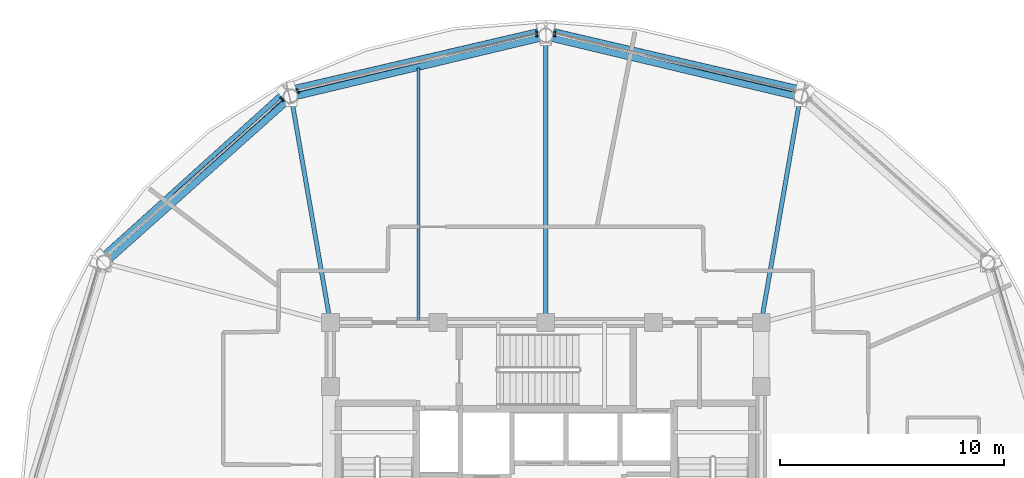
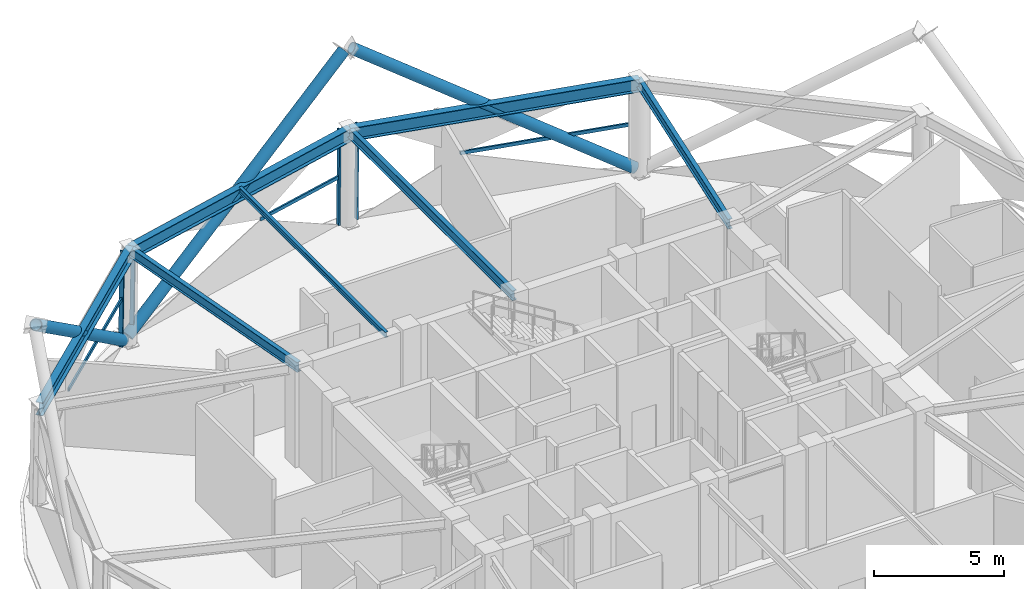
# One storey, part 6 of 16: 10 members, 7 beams, 3 elements without a shape of their own.
"""IFC4 building model written with IfcOpenShell, lengths in metres."""

import ifcopenshell
import ifcopenshell.guid

model = None  # the IFC model being written
_history = None  # IfcOwnerHistory: only IFC2X3 demands one
_inside = {}  # id of a spatial element -> (the spatial element, [elements in it])
_under = {}  # id of a project, library or spatial element -> (it, [spatial elements below it])
_declared = {}  # id of a project -> (the project, [libraries it declares])
_typed = {}  # id of a type object -> (the type object, [elements of that type])
_made_of = {}  # id of a material, layer set ... -> (it, [elements and type objects made of it])


def new_model(schema):
    """Start an empty IFC model of exactly this schema.

    Asked for "IFC4X3", IfcOpenShell would pick the latest addendum, in which some entities
    have other attributes; the version numbers below select the first issue.
    IFC2X3 requires an IfcOwnerHistory on every rooted entity: one is made here for all.
    """
    global model, _history
    if schema == "IFC4X3":
        model = ifcopenshell.file(schema_version=(4, 3, 0, 0))
    else:
        model = ifcopenshell.file(schema=schema)
    _inside.clear()
    _under.clear()
    _declared.clear()
    _typed.clear()
    _made_of.clear()
    _history = None
    if model.schema == "IFC2X3":
        org = make("IfcOrganization", Name="unknown")
        user = make(
            "IfcPersonAndOrganization",
            ThePerson=make("IfcPerson", FamilyName="unknown"),
            TheOrganization=org,
        )
        app = make(
            "IfcApplication",
            ApplicationDeveloper=org,
            Version="unknown",
            ApplicationFullName="unknown",
            ApplicationIdentifier="unknown",
        )
        _history = make(
            "IfcOwnerHistory",
            OwningUser=user,
            OwningApplication=app,
            ChangeAction="ADDED",
            CreationDate=0,
        )
    return model


def make(cls, **values):
    """One entity of the class cls with the attributes given. An attribute that is None is left unset."""
    return model.create_entity(
        cls, **{name: value for name, value in values.items() if value is not None}
    )


def rooted(cls, **values):
    """An entity with a GlobalId (a new one), such as an element, a storey or a relation."""
    return make(cls, GlobalId=ifcopenshell.guid.new(), OwnerHistory=_history, **values)


def si_unit(unit_type, name, prefix=None):
    """IfcSIUnit, for example si_unit("LENGTHUNIT", "METRE", prefix="MILLI")."""
    return make("IfcSIUnit", UnitType=unit_type, Prefix=prefix, Name=name)


def assignment(units):
    """IfcUnitAssignment: the units of a project."""
    return None if units is None else make("IfcUnitAssignment", Units=units)


def point(xyz):
    """IfcCartesianPoint."""
    return None if xyz is None else make("IfcCartesianPoint", Coordinates=xyz)


def direction(xyz):
    """IfcDirection."""
    return None if xyz is None else make("IfcDirection", DirectionRatios=xyz)


def frame(location, z_axis=None, x_axis=None):
    """IfcAxis2Placement3D, a coordinate frame: its origin and axes. An axis left out is left unset."""
    return make(
        "IfcAxis2Placement3D",
        Location=point(location),
        Axis=direction(z_axis),
        RefDirection=direction(x_axis),
    )


def frame_2d(location, x_axis=None):
    """IfcAxis2Placement2D, a coordinate frame in the plane: its origin and x axis."""
    return make(
        "IfcAxis2Placement2D", Location=point(location), RefDirection=direction(x_axis)
    )


def origin():
    """The frame at (0, 0, 0) with its axes left unset."""
    return frame((0.0, 0.0, 0.0))


def origin_2d():
    """The frame at (0, 0) in the plane with its x axis left unset."""
    return frame_2d((0.0, 0.0))


def place(relative_to, where):
    """IfcLocalPlacement: puts the frame where relative to a parent placement (None: the world)."""
    return make(
        "IfcLocalPlacement", PlacementRelTo=relative_to, RelativePlacement=where
    )


def context(
    kind, dimensions, precision=None, world=None, true_north=None, identifier=None
):
    """IfcGeometricRepresentationContext, for example the 3D "Model" context."""
    return make(
        "IfcGeometricRepresentationContext",
        ContextIdentifier=identifier,
        ContextType=kind,
        CoordinateSpaceDimension=dimensions,
        Precision=precision,
        WorldCoordinateSystem=world,
        TrueNorth=true_north,
    )


def subcontext(parent, identifier, kind, view, scale=None):
    """IfcGeometricRepresentationSubContext, for example "Body" below "Model"."""
    return make(
        "IfcGeometricRepresentationSubContext",
        ContextIdentifier=identifier,
        ContextType=kind,
        ParentContext=parent,
        TargetScale=scale,
        TargetView=view,
    )


def project(units=None, contexts=None):
    """IfcProject with its units and contexts."""
    return rooted(
        "IfcProject",
        Name="project",
        RepresentationContexts=contexts,
        UnitsInContext=assignment(units),
    )


def spatial(cls, under=None, at=None, **own):
    """A site, building, storey or space (cls), placed at a placement, below another one or the project."""
    s = rooted(cls, ObjectPlacement=at, **own)
    if under is not None:
        _under.setdefault(under.id(), (under, []))[1].append(s)
    return s


def profile(cls, at=None, kind="AREA", **sizes):
    """A parametric profile (cls). Its sizes go by their IFC names, for example OverallWidth=200.0."""
    return make(cls, ProfileType=kind, Position=at, **sizes)


def hollow_rectangle(**sizes):
    """IfcRectangleHollowProfileDef."""
    return profile("IfcRectangleHollowProfileDef", **sizes)


def hollow_circle(**sizes):
    """IfcCircleHollowProfileDef."""
    return profile("IfcCircleHollowProfileDef", **sizes)


def i_section(**sizes):
    """IfcIShapeProfileDef."""
    return profile("IfcIShapeProfileDef", **sizes)


def extrude(swept, where, along, depth):
    """IfcExtrudedAreaSolid: the profile swept, set in the frame where, extruded along a direction by depth."""
    return make(
        "IfcExtrudedAreaSolid",
        SweptArea=swept,
        Position=where,
        ExtrudedDirection=direction(along),
        Depth=depth,
    )


def shape(context_of_items, identifier, shape_type, items):
    """IfcShapeRepresentation: the items that make up one representation, for example the "Body"."""
    return make(
        "IfcShapeRepresentation",
        ContextOfItems=context_of_items,
        RepresentationIdentifier=identifier,
        RepresentationType=shape_type,
        Items=items,
    )


def material(Name=None, Category=None):
    """IfcMaterial."""
    return make("IfcMaterial", Name=Name, Category=Category)


def layer(
    of_material, thickness, ventilated=None, Name=None, Category=None, Priority=None
):
    """IfcMaterialLayer: one layer of a wall or slab, of a material (None: an air gap)."""
    return make(
        "IfcMaterialLayer",
        Material=of_material,
        LayerThickness=thickness,
        IsVentilated=ventilated,
        Name=Name,
        Category=Category,
        Priority=Priority,
    )


def layer_set(layers, Name=None):
    """IfcMaterialLayerSet."""
    return make("IfcMaterialLayerSet", MaterialLayers=layers, LayerSetName=Name)


def material_profile(
    of_material, cross_section, Name=None, Category=None, Priority=None
):
    """IfcMaterialProfile: a cross section and its material."""
    return make(
        "IfcMaterialProfile",
        Name=Name,
        Material=of_material,
        Profile=cross_section,
        Priority=Priority,
        Category=Category,
    )


def profile_set(profiles, Name=None, composite=None):
    """IfcMaterialProfileSet."""
    return make(
        "IfcMaterialProfileSet",
        Name=Name,
        MaterialProfiles=profiles,
        CompositeProfile=composite,
    )


def made_of(thing, what):
    """Note that an element or type object is made of a material, layer set ...; save() writes the relation."""
    if what is not None:
        _made_of.setdefault(what.id(), (what, []))[1].append(thing)
    return thing


def type_object(cls, material=None, **own):
    """A type object (cls), such as IfcWallType, which elements share."""
    return made_of(rooted(cls, **own), material)


def element(
    cls,
    number,
    at=None,
    inside=None,
    cuts=None,
    type_object=None,
    material=None,
    context=None,
    identifier="Body",
    shape_type=None,
    held_by="IfcProductDefinitionShape",
    body=None,
    shapes=None,
    **own,
):
    """One element of the class cls, such as IfcWall. Its Tag is "e" and its number.

    at: its placement. inside: the storey or other place that contains it. cuts: it is an
    opening in that element (IfcRelVoidsElement). A single representation is given by context,
    identifier, shape_type and body (its items); several are given by shapes. held_by: the class
    of the entity that holds the representations. save() writes the other relations.
    """
    e = rooted(cls, Tag="e%d" % number, ObjectPlacement=at, **own)
    if body is not None:
        shapes = [shape(context, identifier, shape_type, body)]
    if shapes is not None:
        e.Representation = make(held_by, Representations=shapes)
    if inside is not None:
        _inside.setdefault(inside.id(), (inside, []))[1].append(e)
    if cuts is not None:
        rooted(
            "IfcRelVoidsElement", RelatingBuildingElement=cuts, RelatedOpeningElement=e
        )
    if type_object is not None:
        _typed.setdefault(type_object.id(), (type_object, []))[1].append(e)
    return made_of(e, material)


def aggregate(whole, parts):
    """IfcRelAggregates: a whole, such as a stair, and the parts it consists of."""
    return rooted("IfcRelAggregates", RelatingObject=whole, RelatedObjects=parts)


def save(model, path):
    """Write the relations noted so far, then the file.

    IfcRelAggregates (storeys below a building ...), IfcRelContainedInSpatialStructure (elements
    in a storey), IfcRelDefinesByType, IfcRelAssociatesMaterial and IfcRelDeclares: one each for
    every whole, place, type object, material and project.
    """
    for whole, parts in _under.values():
        aggregate(whole, parts)
    for where, things in _inside.values():
        rooted(
            "IfcRelContainedInSpatialStructure",
            RelatedElements=things,
            RelatingStructure=where,
        )
    for kind, things in _typed.values():
        rooted("IfcRelDefinesByType", RelatedObjects=things, RelatingType=kind)
    for what, things in _made_of.values():
        rooted("IfcRelAssociatesMaterial", RelatedObjects=things, RelatingMaterial=what)
    for by, libraries in _declared.values():
        rooted("IfcRelDeclares", RelatingContext=by, RelatedDefinitions=libraries)
    model.write(path)


model = new_model("IFC4")

# Units and contexts
model_context = context("Model", 3, precision=1e-05, world=origin(), true_north=direction((0.0, 1.0)))
body_context = subcontext(model_context, "Body", "Model", "MODEL_VIEW")
ifc_project = project(units=[si_unit("LENGTHUNIT", "METRE"), si_unit("AREAUNIT", "SQUARE_METRE"), si_unit("VOLUMEUNIT", "CUBIC_METRE"), si_unit("PLANEANGLEUNIT", "RADIAN"), si_unit("MASSUNIT", "GRAM", prefix="KILO")], contexts=[model_context])

# Site, building, storey
site_placement = place(None, origin())
site = spatial("IfcSite", under=ifc_project, at=site_placement, CompositionType="ELEMENT")
building_placement = place(site_placement, origin())
building = spatial("IfcBuilding", under=site, at=building_placement, Name="Vantalir Tower", CompositionType="ELEMENT")
storey_placement = place(building_placement, frame((0.0, 0.0, 181.35009765625)))
storey = spatial("IfcBuildingStorey", under=building, at=storey_placement, Name="L45", CompositionType="ELEMENT", Elevation=181.35009765625)

# Beams
ifc_material_1 = material(Name="Steel S355", Category="steel")
ifc_material_profile_1 = material_profile(ifc_material_1, i_section(OverallWidth=0.14599609375, OverallDepth=0.256103515625, WebThickness=0.00634765625, FlangeThickness=0.010986328125, at=origin_2d()), Name="Steel S355")
ifc_profile_set_1 = profile_set([ifc_material_profile_1], Name="Steel S355")
beam_type_1 = type_object("IfcBeamType", Name="BM-JS-254x146", PredefinedType="JOIST", material=ifc_profile_set_1)
beam_1_placement = place(storey_placement, frame((25.8310546875, 43.7900390625, 4.491943359375), z_axis=(0.0, -1.0, 0.0), x_axis=(1.0, 0.0, 0.0)))
element("IfcBeam", 1, at=beam_1_placement, inside=storey, type_object=beam_type_1, Name="L45 Composite Trim Joist 01", PredefinedType="JOIST", context=body_context, shape_type="SweptSolid", body=[
    extrude(i_section(OverallWidth=0.14599609375, OverallDepth=0.256103515625, WebThickness=0.00634765625, FlangeThickness=0.010986328125, at=origin_2d()), origin(), (0.0, 0.0, 1.0), 11.294921875),
])
ifc_material_profile_2 = material_profile(ifc_material_1, i_section(OverallWidth=0.19189453125, OverallDepth=0.462890625, WebThickness=0.010498046875, FlangeThickness=0.017578125, at=origin_2d()), Name="Steel S355")
ifc_profile_set_2 = profile_set([ifc_material_profile_2], Name="Steel S355")
beam_type_2 = type_object("IfcBeamType", Name="BM-RB-457x191", PredefinedType="BEAM", material=ifc_profile_set_2)
beam_2_placement = place(storey_placement, frame((42.837890625, 42.48291015625, 4.387939453125), z_axis=(-0.170667231152, -0.98532872495, 0.0), x_axis=(0.98532872495, -0.170667231152, 0.0)))
element("IfcBeam", 2, at=beam_2_placement, inside=storey, type_object=beam_type_2, Name="L45 Radial Floor Beam 03", PredefinedType="BEAM", context=body_context, shape_type="SweptSolid", body=[
    extrude(i_section(OverallWidth=0.19189453125, OverallDepth=0.462890625, WebThickness=0.010498046875, FlangeThickness=0.017578125, at=origin_2d()), origin(), (0.0, 0.0, 1.0), 10.182373046875),
])
beam_3_placement = place(storey_placement, frame((31.5, 45.18798828125, 4.387939453125), z_axis=(0.0, -1.0, 0.0), x_axis=(1.0, 0.0, 0.0)))
element("IfcBeam", 3, at=beam_3_placement, inside=storey, type_object=beam_type_2, Name="L45 Radial Floor Beam 04", PredefinedType="BEAM", context=body_context, shape_type="SweptSolid", body=[
    extrude(i_section(OverallWidth=0.19189453125, OverallDepth=0.462890625, WebThickness=0.010498046875, FlangeThickness=0.017578125, at=origin_2d()), origin(), (0.0, 0.0, 1.0), 12.738037109375),
])
beam_4_placement = place(storey_placement, frame((20.162109375, 42.48291015625, 4.387939453125), z_axis=(0.170667231152, -0.98532872495, 0.0), x_axis=(0.98532872495, 0.170667231152, 0.0)))
element("IfcBeam", 4, at=beam_4_placement, inside=storey, type_object=beam_type_2, Name="L45 Radial Floor Beam 05", PredefinedType="BEAM", context=body_context, shape_type="SweptSolid", body=[
    extrude(i_section(OverallWidth=0.19189453125, OverallDepth=0.462890625, WebThickness=0.010498046875, FlangeThickness=0.017578125, at=origin_2d()), origin(), (0.0, 0.0, 1.0), 10.182373046875),
])
ifc_material_2 = material(Name="Steel S460", Category="steel")
ifc_material_profile_3 = material_profile(ifc_material_2, i_section(OverallWidth=0.306884765625, OverallDepth=0.6201171875, WebThickness=0.01416015625, FlangeThickness=0.023681640625, at=origin_2d()), Name="Steel S460")
ifc_profile_set_3 = profile_set([ifc_material_profile_3], Name="Steel S460")
beam_type_3 = type_object("IfcBeamType", Name="BM-RG-610x305", PredefinedType="USERDEFINED", material=ifc_profile_set_3)
for number, where, z_axis, x_axis, name in (
    (5, (42.837890625, 42.48291015625, 4.309814453125), (-0.972698236559, 0.232073567206, 0.0), (-0.232073567206, -0.972698236559, 0.0), "L45 Circumferential Ring Girder 03"),
    (6, (31.5, 45.18798828125, 4.309814453125), (-0.972698236559, -0.232073567206, 0.0), (0.232073567206, -0.972698236559, 0.0), "L45 Circumferential Ring Girder 04"),
):
    element("IfcBeam", number, at=place(storey_placement, frame(where, z_axis=z_axis, x_axis=x_axis)), inside=storey, type_object=beam_type_3, Name=name, ObjectType="GIRDER", PredefinedType="USERDEFINED", context=body_context, shape_type="SweptSolid", body=[
        extrude(i_section(OverallWidth=0.306884765625, OverallDepth=0.6201171875, WebThickness=0.01416015625, FlangeThickness=0.023681640625, at=origin_2d()), origin(), (0.0, 0.0, 1.0), 11.656005859375),
    ])
beam_5_placement = place(storey_placement, frame((20.162109375, 42.48291015625, 4.309814453125), z_axis=(-0.746913346666, -0.664921388265, 0.0), x_axis=(0.664921388265, -0.746913346666, 0.0)))
element("IfcBeam", 7, at=beam_5_placement, inside=storey, type_object=beam_type_3, Name="L45 Circumferential Ring Girder 05", ObjectType="GIRDER", PredefinedType="USERDEFINED", context=body_context, shape_type="SweptSolid", body=[
    extrude(i_section(OverallWidth=0.306884765625, OverallDepth=0.6201171875, WebThickness=0.01416015625, FlangeThickness=0.023681640625, at=origin_2d()), origin(), (0.0, 0.0, 1.0), 11.112548828125),
])

# Curtain wall, member
ifc_material_3 = material(Name="Champagne-silver PVDF aluminium and double-silver Low-E glass", Category="aluminium")
ifc_layer = layer(ifc_material_3, 0.22998046875)
ifc_layer_set = layer_set([ifc_layer], Name="Champagne-silver PVDF aluminium and double-silver Low-E glass")
curtain_wall_type = type_object("IfcCurtainWallType", Name="CW-SKYLOBBY", PredefinedType="USERDEFINED", material=ifc_layer_set)
curtain_wall_1_placement = place(storey_placement, origin())
curtain_wall_1 = element("IfcCurtainWall", 8, at=curtain_wall_1_placement, inside=storey, type_object=curtain_wall_type, Name="L45 Quilted Pyramid-Diamond Curtain Wall S03", ObjectType="UNITISED CURTAIN WALL", PredefinedType="USERDEFINED")
ifc_material_4 = material(Name="Champagne-silver PVDF aluminium 6063-T6", Category="aluminium")
ifc_material_profile_4 = material_profile(ifc_material_4, hollow_rectangle(XDim=0.074951171875, YDim=0.179931640625, WallThickness=0.00390625, at=origin_2d()), Name="Champagne-silver PVDF aluminium 6063-T6")
ifc_profile_set_4 = profile_set([ifc_material_profile_4], Name="Champagne-silver PVDF aluminium 6063-T6")
member_type_1 = type_object("IfcMemberType", Name="CWM-180x75", PredefinedType="MULLION", material=ifc_profile_set_4)
member_1_placement = place(storey_placement, frame((31.89892578125, 45.34912109375, 0.044921875), z_axis=(0.0, -0.01460367021, 0.999893360722), x_axis=(1.0, 0.0, 0.0)))
member_1 = element("IfcMember", 9, at=member_1_placement, type_object=member_type_1, Name="CW-L45-S03 Mullion 2", PredefinedType="MULLION", context=body_context, shape_type="SweptSolid", body=[
    extrude(hollow_rectangle(XDim=0.074951171875, YDim=0.179931640625, WallThickness=0.00390625, at=origin_2d()), origin(), (0.0, 0.0, 1.0), 4.530517578125),
])

# Curtain wall, members
curtain_wall_2_placement = place(storey_placement, origin())
curtain_wall_2 = element("IfcCurtainWall", 10, at=curtain_wall_2_placement, inside=storey, type_object=curtain_wall_type, Name="L45 Quilted Pyramid-Diamond Curtain Wall S04", ObjectType="UNITISED CURTAIN WALL", PredefinedType="USERDEFINED")
member_2_placement = place(storey_placement, frame((31.10107421875, 45.34912109375, 0.044921875), z_axis=(0.0, -0.01460367021, 0.999893360722), x_axis=(1.0, 0.0, 0.0)))
member_2 = element("IfcMember", 11, at=member_2_placement, type_object=member_type_1, Name="CW-L45-S04 Mullion 1", PredefinedType="MULLION", context=body_context, shape_type="SweptSolid", body=[
    extrude(hollow_rectangle(XDim=0.074951171875, YDim=0.179931640625, WallThickness=0.00390625, at=origin_2d()), origin(), (0.0, 0.0, 1.0), 4.530517578125),
])
member_3_placement = place(storey_placement, frame((20.428955078125, 42.800048828125, 0.044921875), z_axis=(0.008190935903, -0.012609730271, 0.999886945245), x_axis=(0.838607336961, 0.544736389821, 0.0)))
member_3 = element("IfcMember", 12, at=member_3_placement, type_object=member_type_1, Name="CW-L45-S04 Mullion 2", PredefinedType="MULLION", context=body_context, shape_type="SweptSolid", body=[
    extrude(hollow_rectangle(XDim=0.074951171875, YDim=0.179931640625, WallThickness=0.00390625, at=origin_2d()), origin(), (0.0, 0.0, 1.0), 4.530517578125),
])

# Curtain wall, member
curtain_wall_3_placement = place(storey_placement, origin())
curtain_wall_3 = element("IfcCurtainWall", 13, at=curtain_wall_3_placement, inside=storey, type_object=curtain_wall_type, Name="L45 Quilted Pyramid-Diamond Curtain Wall S05", ObjectType="UNITISED CURTAIN WALL", PredefinedType="USERDEFINED")
member_4_placement = place(storey_placement, frame((19.72412109375, 42.431884765625, 0.044921875), z_axis=(0.008137057264, -0.012555856573, 0.999888063117), x_axis=(0.839183426584, 0.543848486756, 0.0)))
member_4 = element("IfcMember", 14, at=member_4_placement, type_object=member_type_1, Name="CW-L45-S05 Mullion 1", PredefinedType="MULLION", context=body_context, shape_type="SweptSolid", body=[
    extrude(hollow_rectangle(XDim=0.074951171875, YDim=0.179931640625, WallThickness=0.00390625, at=origin_2d()), origin(), (0.0, 0.0, 1.0), 4.530517578125),
])

# Member
ifc_material_profile_5 = material_profile(ifc_material_4, hollow_rectangle(XDim=0.074951171875, YDim=0.159912109375, WallThickness=0.00390625, at=origin_2d()), Name="Champagne-silver PVDF aluminium 6063-T6")
ifc_profile_set_5 = profile_set([ifc_material_profile_5], Name="Champagne-silver PVDF aluminium 6063-T6")
member_type_2 = type_object("IfcMemberType", Name="CWT-160x75", PredefinedType="USERDEFINED", material=ifc_profile_set_5)
member_5_placement = place(storey_placement, frame((42.552978515625, 42.77197265625, 2.309814453125), z_axis=(-0.971847611335, 0.235610314592, 0.0), x_axis=(-0.235610314592, -0.971847611335, 0.0)))
member_5 = element("IfcMember", 15, at=member_5_placement, type_object=member_type_2, Name="CW-L45-S03 Pyramid Fold Ridge Transom", ObjectType="TRANSOM", PredefinedType="USERDEFINED", context=body_context, shape_type="SweptSolid", body=[
    extrude(hollow_rectangle(XDim=0.074951171875, YDim=0.159912109375, WallThickness=0.00390625, at=origin_2d()), origin(), (0.0, 0.0, 1.0), 6.791259765625),
])

aggregate(curtain_wall_1, [member_1, member_5])

member_6_placement = place(storey_placement, frame((31.10107421875, 45.31591796875, 2.309814453125), z_axis=(-0.973951419069, -0.226756771221, 0.0), x_axis=(0.226756771221, -0.973951419069, 0.0)))
member_6 = element("IfcMember", 16, at=member_6_placement, type_object=member_type_2, Name="CW-L45-S04 Pyramid Fold Ridge Transom", ObjectType="TRANSOM", PredefinedType="USERDEFINED", context=body_context, shape_type="SweptSolid", body=[
    extrude(hollow_rectangle(XDim=0.074951171875, YDim=0.159912109375, WallThickness=0.00390625, at=origin_2d()), origin(), (0.0, 0.0, 1.0), 4.162353515625),
])

aggregate(curtain_wall_2, [member_2, member_3, member_6])

member_7_placement = place(storey_placement, frame((19.741943359375, 42.404052734375, 2.309814453125), z_axis=(-0.748977801243, -0.662595089965, 0.0), x_axis=(0.662595089965, -0.748977801243, 0.0)))
member_7 = element("IfcMember", 17, at=member_7_placement, type_object=member_type_2, Name="CW-L45-S05 Pyramid Fold Ridge Transom", ObjectType="TRANSOM", PredefinedType="USERDEFINED", context=body_context, shape_type="SweptSolid", body=[
    extrude(hollow_rectangle(XDim=0.074951171875, YDim=0.159912109375, WallThickness=0.00390625, at=origin_2d()), origin(), (0.0, 0.0, 1.0), 6.4580078125),
])

aggregate(curtain_wall_3, [member_4, member_7])

# Members
ifc_material_profile_6 = material_profile(ifc_material_2, hollow_circle(Radius=0.25, WallThickness=0.031982421875, at=origin_2d()), Name="Steel S460")
ifc_profile_set_6 = profile_set([ifc_material_profile_6], Name="Steel S460")
member_type_3 = type_object("IfcMemberType", Name="MEM-DB-500x32", PredefinedType="BRACE", material=ifc_profile_set_6)
member_8_placement = place(storey_placement, frame((42.7939453125, 42.74609375, 0.205810546875), z_axis=(-0.798940363931, 0.186177894597, 0.571867193014), x_axis=(-0.226950391239, -0.973906319887, 0.0)))
element("IfcMember", 18, at=member_8_placement, inside=storey, type_object=member_type_3, Name="L45 Perimeter S460 Diagrid Brace R07L", PredefinedType="BRACE", context=body_context, shape_type="SweptSolid", body=[
    extrude(hollow_circle(Radius=0.25, WallThickness=0.031982421875, at=origin_2d()), origin(), (0.0, 0.0, 1.0), 13.915771484375),
])
member_9_placement = place(storey_placement, frame((19.89794921875, 42.5859375, 0.2099609375), z_axis=(-0.599297851054, -0.540546715277, 0.590467047621), x_axis=(0.669771199505, -0.742567532494, 0.0)))
element("IfcMember", 19, at=member_9_placement, inside=storey, type_object=member_type_3, Name="L45 Perimeter S460 Diagrid Brace R13L", PredefinedType="BRACE", context=body_context, shape_type="SweptSolid", body=[
    extrude(hollow_circle(Radius=0.25, WallThickness=0.031982421875, at=origin_2d()), origin(), (0.0, 0.0, 1.0), 13.4638671875),
])
member_10_placement = place(storey_placement, frame((20.2060546875, 42.74609375, 0.205810546875), z_axis=(0.798940363931, 0.186177894597, 0.571867193014), x_axis=(-0.226950391239, 0.973906319887, 0.0)))
element("IfcMember", 20, at=member_10_placement, inside=storey, type_object=member_type_3, Name="L45 Perimeter S460 Diagrid Brace R13R", PredefinedType="BRACE", context=body_context, shape_type="SweptSolid", body=[
    extrude(hollow_circle(Radius=0.25, WallThickness=0.031982421875, at=origin_2d()), origin(), (0.0, 0.0, 1.0), 13.915771484375),
])

save(model, "model.ifc")
